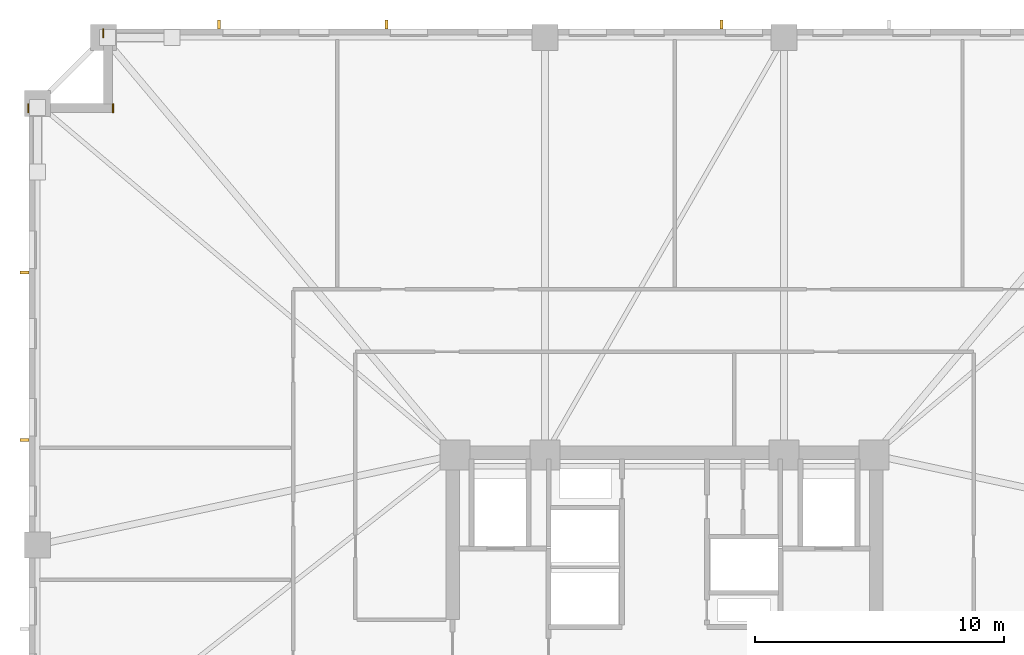
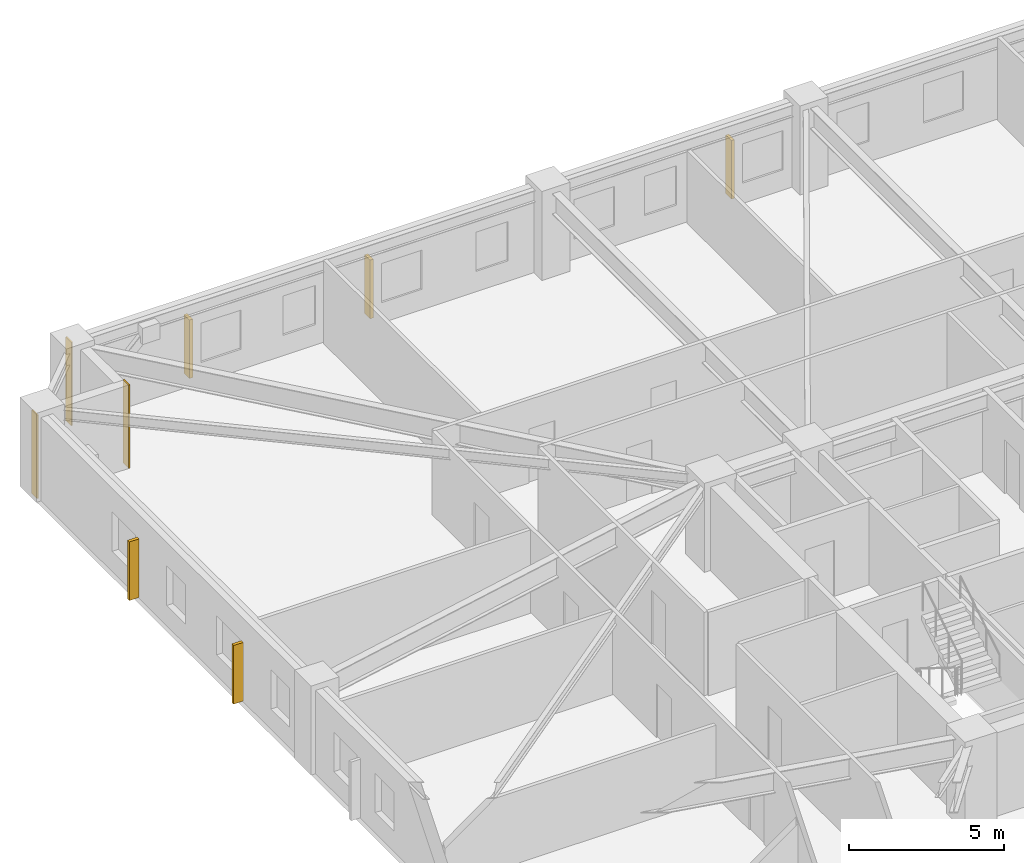
# One storey, part 10 of 11: 5 shading devices, 3 coverings.
"""IFC4 building model written with IfcOpenShell, lengths in metres."""

from ifc_helpers import new_model, si_unit, direction, frame, frame_2d, origin, origin_2d, place, context, subcontext, project, spatial, rectangle, extrude, material, layer, layer_set, type_object, element, save


model = new_model("IFC4")

# Units and contexts
model_context = context("Model", 3, precision=1e-05, world=origin(), true_north=direction((0.0, 1.0)))
body_context = subcontext(model_context, "Body", "Model", "MODEL_VIEW")
ifc_project = project(units=[si_unit("LENGTHUNIT", "METRE"), si_unit("AREAUNIT", "SQUARE_METRE"), si_unit("VOLUMEUNIT", "CUBIC_METRE"), si_unit("PLANEANGLEUNIT", "RADIAN"), si_unit("MASSUNIT", "GRAM", prefix="KILO")], contexts=[model_context])

# Site, building, storey
site_placement = place(None, origin())
site = spatial("IfcSite", under=ifc_project, at=site_placement, CompositionType="ELEMENT")
building_placement = place(site_placement, origin())
building = spatial("IfcBuilding", under=site, at=building_placement, Name="Cairnveth Concourse Tower", CompositionType="ELEMENT")
storey_placement = place(building_placement, frame((0.0, 0.0, 58.5)))
storey = spatial("IfcBuildingStorey", under=building, at=storey_placement, Name="L15", CompositionType="ELEMENT", Elevation=58.5)

# Coverings
ifc_material_1 = material(Name="Dressed Melbourne Bluestone Cladding", Category="masonry")
ifc_layer = layer(ifc_material_1, 0.050048828125)
ifc_layer_set = layer_set([ifc_layer], Name="Dressed Melbourne Bluestone Cladding")
covering_type = type_object("IfcCoveringType", Name="DRESSED BLUESTONE PLINTH CLADDING 50", PredefinedType="CLADDING", material=ifc_layer_set)
for number, where, z_axis, x_axis, name in (
    (1, (26.47998046875, 61.139892578125, 0.0), (0.0, 0.0, 1.0), (0.0, 1.0, 0.0), "Melbourne Bluestone Corner Quoin L15-190"),
    (2, (29.8798828125, 61.139892578125, 0.0), (0.0, 0.0, 1.0), (0.0, 1.0, 0.0), "Melbourne Bluestone Corner Quoin L15-191"),
    (3, (29.47998046875, 64.139892578125, 0.0), (0.0, 0.0, 1.0), (0.0, 1.0, 0.0), "Melbourne Bluestone Corner Quoin L15-192"),
):
    element("IfcCovering", number, at=place(storey_placement, frame(where, z_axis=z_axis, x_axis=x_axis)), inside=storey, type_object=covering_type, Name=name, PredefinedType="CLADDING", context=body_context, shape_type="SweptSolid", body=[
        extrude(rectangle(XDim=0.360107421875, YDim=0.050048828125, at=frame_2d((0.18017578125, 0.0))), origin(), (0.0, 0.0, 1.0), 3.280029296875),
    ])

# Shading devices
ifc_material_2 = material(Name="Architectural Bronze Anodised Aluminium 6063-T6", Category="aluminium")
shading_device_type = type_object("IfcShadingDeviceType", Name="GOTHIC BRONZE VERTICAL LANCET FIN", PredefinedType="USERDEFINED", material=ifc_material_2)
for number, where, z_axis, x_axis, name in (
    (4, (26.324951171875, 48.00146484375, 0.02978515625), (0.0, 0.0, 1.0), (0.0, 1.0, 0.0), "Gothic Bronze Vertical Fin L15-6-9"),
    (5, (26.324951171875, 54.721923828125, 0.02978515625), (0.0, 0.0, 1.0), (0.0, 1.0, 0.0), "Gothic Bronze Vertical Fin L15-6-11"),
    (6, (34.1201171875, 64.675048828125, 0.02978515625), (0.0, 0.0, 1.0), (1.0, 0.0, 0.0), "Gothic Bronze Vertical Fin L15-9-1"),
    (7, (40.840576171875, 64.675048828125, 0.02978515625), (0.0, 0.0, 1.0), (1.0, 0.0, 0.0), "Gothic Bronze Vertical Fin L15-9-3"),
    (8, (54.28125, 64.675048828125, 0.02978515625), (0.0, 0.0, 1.0), (1.0, 0.0, 0.0), "Gothic Bronze Vertical Fin L15-9-7"),
):
    element("IfcShadingDevice", number, at=place(storey_placement, frame(where, z_axis=z_axis, x_axis=x_axis)), inside=storey, type_object=shading_device_type, Name=name, ObjectType="VERTICAL FIN", PredefinedType="USERDEFINED", context=body_context, shape_type="SweptSolid", body=[
        extrude(rectangle(XDim=0.1201171875, YDim=0.360107421875, at=origin_2d()), origin(), (0.0, 0.0, 1.0), 2.303955078125),
    ])

save(model, "model.ifc")
